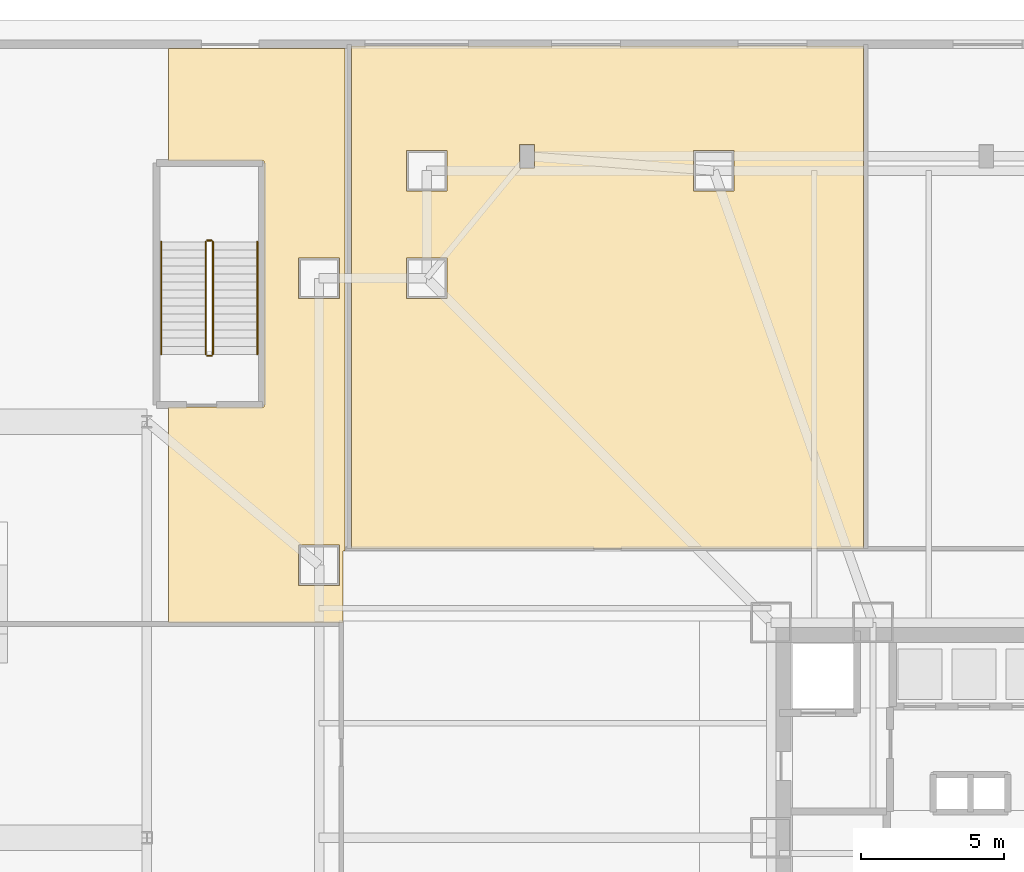
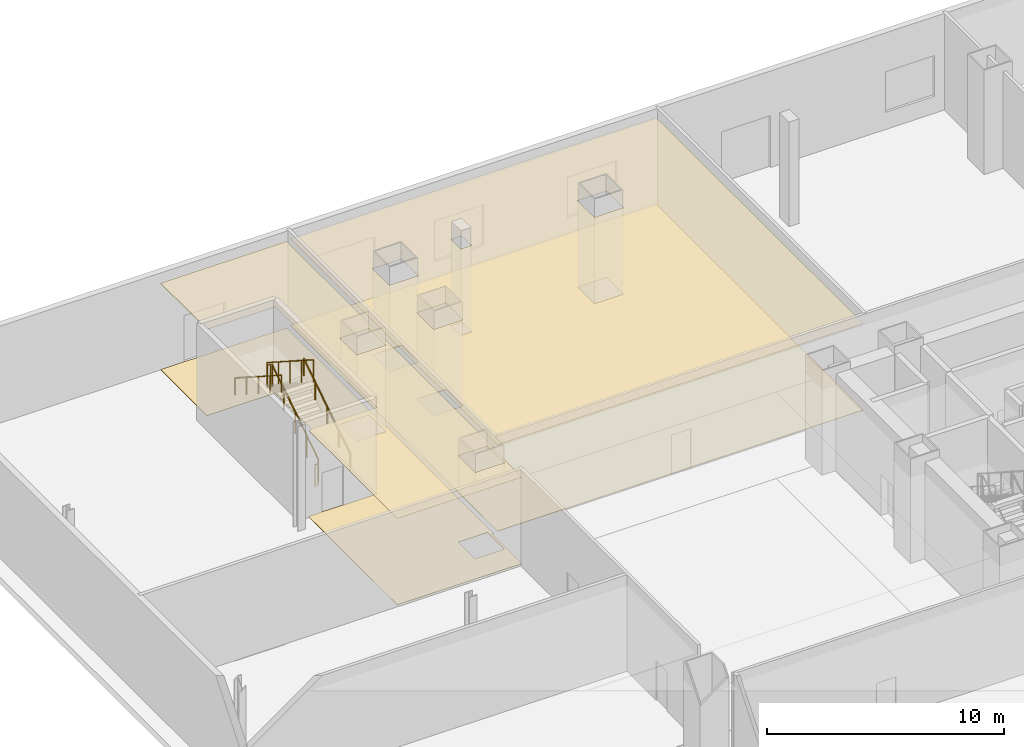
# One storey, part 19 of 24: 6 railings, 4 coverings.
"""IFC4 building model written with IfcOpenShell, lengths in metres."""

from ifc_helpers import new_model, si_unit, direction, frame, origin, origin_2d, place, context, subcontext, project, spatial, polyline, circle, outline, extrude, material, layer, layer_set, type_object, element, save


model = new_model("IFC4")

# Units and contexts
model_context = context("Model", 3, precision=1e-05, world=origin(), true_north=direction((0.0, 1.0)))
body_context = subcontext(model_context, "Body", "Model", "MODEL_VIEW")
ifc_project = project(units=[si_unit("LENGTHUNIT", "METRE"), si_unit("AREAUNIT", "SQUARE_METRE"), si_unit("VOLUMEUNIT", "CUBIC_METRE"), si_unit("PLANEANGLEUNIT", "RADIAN"), si_unit("MASSUNIT", "GRAM", prefix="KILO")], contexts=[model_context])

# Site, building, storey
site_placement = place(None, origin())
site = spatial("IfcSite", under=ifc_project, at=site_placement, CompositionType="ELEMENT")
building_placement = place(site_placement, origin())
building = spatial("IfcBuilding", under=site, at=building_placement, Name="Trevonay Congress Spire", CompositionType="ELEMENT")
storey_placement = place(building_placement, origin())
storey = spatial("IfcBuildingStorey", under=building, at=storey_placement, Name="L00", CompositionType="ELEMENT", Elevation=0.0)

# Coverings
ifc_material_1 = material(Name="Acoustic Mineral Fibre Board", Category="gypsum")
ifc_layer_1 = layer(ifc_material_1, 0.02490234375, Name="Acoustic Mineral Fibre Board")
ifc_layer_set_1 = layer_set([ifc_layer_1], Name="Acoustic Mineral Fibre Board")
covering_type_1 = type_object("IfcCoveringType", Name="COV-CEIL-ACOUSTIC", PredefinedType="CEILING", material=ifc_layer_set_1)
covering_1_placement = place(storey_placement, frame((0.0, 0.0, 4.449951171875)))
element("IfcCovering", 1, at=covering_1_placement, inside=storey, type_object=covering_type_1, Name="L00 VIP Diplomatic Drop-Off Foyer acoustic suspended ceiling", PredefinedType="CEILING", context=body_context, shape_type="SweptSolid", body=[
    extrude(outline(polyline([(-22.1201171875, 27.60009765625), (-4.280029296875, 27.60009765625), (-4.280029296875, 10.080078125), (-22.1201171875, 10.080078125), (-22.1201171875, 27.60009765625)]), holes=[polyline([(-20.2099609375, 20.2099609375), (-20.2099609375, 18.7900390625), (-18.7900390625, 18.7900390625), (-18.7900390625, 20.2099609375), (-20.2099609375, 20.2099609375)]), polyline([(-20.2099609375, 23.9599609375), (-20.2099609375, 22.5400390625), (-18.7900390625, 22.5400390625), (-18.7900390625, 23.9599609375), (-20.2099609375, 23.9599609375)]), polyline([(-10.2099609375, 23.9599609375), (-10.2099609375, 22.5400390625), (-8.7900390625, 22.5400390625), (-8.7900390625, 23.9599609375), (-10.2099609375, 23.9599609375)]), polyline([(-16.260009765625, 24.159912109375), (-16.260009765625, 23.340087890625), (-15.739990234375, 23.340087890625), (-15.739990234375, 24.159912109375), (-16.260009765625, 24.159912109375)])]), origin(), (0.0, 0.0, 1.0), 0.025146484375),
])
covering_2_placement = place(storey_placement, frame((0.0, 0.0, 4.449951171875)))
element("IfcCovering", 2, at=covering_2_placement, inside=storey, type_object=covering_type_1, Name="L00 Protected Exit Passage NW acoustic suspended ceiling", PredefinedType="CEILING", context=body_context, shape_type="SweptSolid", body=[
    extrude(outline(polyline([(-28.5, 23.580078125), (-28.5, 27.5), (-22.35009765625, 27.5), (-22.35009765625, 10.0), (-22.419921875, 10.0), (-22.419921875, 7.550048828125), (-22.419921875, 7.5), (-28.5, 7.5), (-28.5, 15.02001953125), (-25.169921875, 15.02001953125), (-25.169921875, 23.580078125), (-28.5, 23.580078125)]), holes=[polyline([(-22.5400390625, 8.7900390625), (-22.5400390625, 10.2099609375), (-23.9599609375, 10.2099609375), (-23.9599609375, 8.7900390625), (-22.5400390625, 8.7900390625)]), polyline([(-22.5400390625, 18.7900390625), (-22.5400390625, 20.2099609375), (-23.9599609375, 20.2099609375), (-23.9599609375, 18.7900390625), (-22.5400390625, 18.7900390625)])]), origin(), (0.0, 0.0, 1.0), 0.025146484375),
])
ifc_material_2 = material(Name="Polished Granite Floor Tile", Category="masonry")
ifc_layer_2 = layer(ifc_material_2, 0.02001953125, Name="Polished Granite Floor Tile")
ifc_layer_set_2 = layer_set([ifc_layer_2], Name="Polished Granite Floor Tile")
covering_type_2 = type_object("IfcCoveringType", Name="COV-FLOOR-STONE", PredefinedType="FLOORING", material=ifc_layer_set_2)
covering_3_placement = place(storey_placement, origin())
element("IfcCovering", 3, at=covering_3_placement, inside=storey, type_object=covering_type_2, Name="L00 VIP Diplomatic Drop-Off Foyer floor finish", PredefinedType="FLOORING", context=body_context, shape_type="SweptSolid", body=[
    extrude(outline(polyline([(-22.1201171875, 27.60009765625), (-4.280029296875, 27.60009765625), (-4.280029296875, 10.080078125), (-22.1201171875, 10.080078125), (-22.1201171875, 27.60009765625)]), holes=[polyline([(-20.2099609375, 20.2099609375), (-20.2099609375, 18.7900390625), (-18.7900390625, 18.7900390625), (-18.7900390625, 20.2099609375), (-20.2099609375, 20.2099609375)]), polyline([(-20.2099609375, 23.9599609375), (-20.2099609375, 22.5400390625), (-18.7900390625, 22.5400390625), (-18.7900390625, 23.9599609375), (-20.2099609375, 23.9599609375)]), polyline([(-10.2099609375, 23.9599609375), (-10.2099609375, 22.5400390625), (-8.7900390625, 22.5400390625), (-8.7900390625, 23.9599609375), (-10.2099609375, 23.9599609375)]), polyline([(-16.260009765625, 24.159912109375), (-16.260009765625, 23.340087890625), (-15.739990234375, 23.340087890625), (-15.739990234375, 24.159912109375), (-16.260009765625, 24.159912109375)])]), origin(), (0.0, 0.0, 1.0), 0.02001953125),
])
covering_4_placement = place(storey_placement, origin())
element("IfcCovering", 4, at=covering_4_placement, inside=storey, type_object=covering_type_2, Name="L00 Protected Exit Passage NW floor finish", PredefinedType="FLOORING", context=body_context, shape_type="SweptSolid", body=[
    extrude(outline(polyline([(-28.5, 23.580078125), (-28.5, 27.5), (-22.35009765625, 27.5), (-22.35009765625, 10.0), (-22.419921875, 10.0), (-22.419921875, 7.550048828125), (-22.419921875, 7.5), (-28.5, 7.5), (-28.5, 15.02001953125), (-25.169921875, 15.02001953125), (-25.169921875, 23.580078125), (-28.5, 23.580078125)]), holes=[polyline([(-22.5400390625, 8.7900390625), (-22.5400390625, 10.2099609375), (-23.9599609375, 10.2099609375), (-23.9599609375, 8.7900390625), (-22.5400390625, 8.7900390625)]), polyline([(-22.5400390625, 18.7900390625), (-22.5400390625, 20.2099609375), (-23.9599609375, 20.2099609375), (-23.9599609375, 18.7900390625), (-22.5400390625, 18.7900390625)])]), origin(), (0.0, 0.0, 1.0), 0.02001953125),
])

# Railings
ifc_material_3 = material(Name="Pale Anodised Aluminium EN AW-6063-T6", Category="aluminium")
railing_type_1 = type_object("IfcRailingType", Name="RAL-STAIR-GUARD-110", PredefinedType="GUARDRAIL", material=ifc_material_3)
railing_1_placement = place(storey_placement, frame((-26.949951171875, 16.85009765625, 0.179931640625)))
element("IfcRailing", 5, at=railing_1_placement, inside=storey, type_object=railing_type_1, Name="L00 ST-5 stair guard 1", PredefinedType="GUARDRAIL", context=body_context, shape_type="SweptSolid", body=[
    extrude(circle(Radius=0.02392578125, at=origin_2d()), frame((0.0, 0.0, 1.1259765625), z_axis=(0.0, 0.841171666519, 0.540768182723), x_axis=(-1.0, 0.0, 0.0)), (0.0, 0.0, 1.0), 4.66015625),
    extrude(circle(Radius=0.02099609375, at=origin_2d()), origin(), (0.0, 0.0, 1.0), 1.101806640625),
    extrude(circle(Radius=0.02099609375, at=origin_2d()), frame((0.0, 0.97998046875, 0.6298828125)), (0.0, 0.0, 1.0), 1.101806640625),
    extrude(circle(Radius=0.02099609375, at=origin_2d()), frame((0.0, 1.9599609375, 1.260009765625)), (0.0, 0.0, 1.0), 1.101806640625),
    extrude(circle(Radius=0.02099609375, at=origin_2d()), frame((0.0, 2.93994140625, 1.89013671875)), (0.0, 0.0, 1.0), 1.101806640625),
    extrude(circle(Radius=0.02099609375, at=origin_2d()), frame((0.0, 3.919921875, 2.52001953125)), (0.0, 0.0, 1.0), 1.101806640625),
])
railing_2_placement = place(storey_placement, frame((-27.0, 20.820068359375, 2.699951171875)))
element("IfcRailing", 6, at=railing_2_placement, inside=storey, type_object=railing_type_1, Name="L00 ST-5 stair guard 2", PredefinedType="GUARDRAIL", context=body_context, shape_type="SweptSolid", body=[
    extrude(circle(Radius=0.02392578125, at=origin_2d()), frame((0.0, 0.0, 1.1259765625), z_axis=(-1.0, 0.0, 0.0), x_axis=(0.0, -1.0, 0.0)), (0.0, 0.0, 1.0), 0.14990234375),
    extrude(circle(Radius=0.02099609375, at=origin_2d()), origin(), (0.0, 0.0, 1.0), 1.101806640625),
    extrude(circle(Radius=0.02099609375, at=origin_2d()), frame((-0.14990234375, 0.0, 0.0)), (0.0, 0.0, 1.0), 1.101806640625),
])
railing_3_placement = place(storey_placement, frame((-27.199951171875, 20.77001953125, 2.8798828125)))
element("IfcRailing", 7, at=railing_3_placement, inside=storey, type_object=railing_type_1, Name="L00 ST-5 stair guard 3", PredefinedType="GUARDRAIL", context=body_context, shape_type="SweptSolid", body=[
    extrude(circle(Radius=0.02392578125, at=origin_2d()), frame((0.0, 0.0, 1.1259765625), z_axis=(0.0, -0.841171666519, 0.540768182723), x_axis=(1.0, 0.0, 0.0)), (0.0, 0.0, 1.0), 4.66015625),
    extrude(circle(Radius=0.02099609375, at=origin_2d()), origin(), (0.0, 0.0, 1.0), 1.101806640625),
    extrude(circle(Radius=0.02099609375, at=origin_2d()), frame((0.0, -0.97998046875, 0.6298828125)), (0.0, 0.0, 1.0), 1.101806640625),
    extrude(circle(Radius=0.02099609375, at=origin_2d()), frame((0.0, -1.9599609375, 1.260009765625)), (0.0, 0.0, 1.0), 1.101806640625),
    extrude(circle(Radius=0.02099609375, at=origin_2d()), frame((0.0, -2.93994140625, 1.89013671875)), (0.0, 0.0, 1.0), 1.101806640625),
    extrude(circle(Radius=0.02099609375, at=origin_2d()), frame((0.0, -3.919921875, 2.52001953125)), (0.0, 0.0, 1.0), 1.101806640625),
])
railing_4_placement = place(storey_placement, frame((-27.0, 16.800048828125, 0.0)))
element("IfcRailing", 8, at=railing_4_placement, inside=storey, type_object=railing_type_1, Name="L00 ST-5 stair guard 4", PredefinedType="GUARDRAIL", context=body_context, shape_type="SweptSolid", body=[
    extrude(circle(Radius=0.02392578125, at=origin_2d()), frame((0.0, 0.0, 1.1259765625), z_axis=(-1.0, 0.0, 0.0), x_axis=(0.0, -1.0, 0.0)), (0.0, 0.0, 1.0), 0.14990234375),
    extrude(circle(Radius=0.02099609375, at=origin_2d()), origin(), (0.0, 0.0, 1.0), 1.101806640625),
    extrude(circle(Radius=0.02099609375, at=origin_2d()), frame((-0.14990234375, 0.0, 0.0)), (0.0, 0.0, 1.0), 1.101806640625),
])
railing_type_2 = type_object("IfcRailingType", Name="RAL-STAIR-HANDRAIL", PredefinedType="HANDRAIL", material=ifc_material_3)
railing_5_placement = place(storey_placement, frame((-25.39990234375, 16.85009765625, 0.179931640625)))
element("IfcRailing", 9, at=railing_5_placement, inside=storey, type_object=railing_type_2, Name="L00 ST-5 stair handrail 1", PredefinedType="HANDRAIL", context=body_context, shape_type="SweptSolid", body=[
    extrude(circle(Radius=0.02392578125, at=origin_2d()), frame((0.0, 0.0, 0.8759765625), z_axis=(0.0, 0.841171666519, 0.540768182723), x_axis=(-1.0, 0.0, 0.0)), (0.0, 0.0, 1.0), 4.66015625),
    extrude(circle(Radius=0.02099609375, at=origin_2d()), origin(), (0.0, 0.0, 1.0), 0.851806640625),
    extrude(circle(Radius=0.02099609375, at=origin_2d()), frame((0.0, 0.97998046875, 0.6298828125)), (0.0, 0.0, 1.0), 0.851806640625),
    extrude(circle(Radius=0.02099609375, at=origin_2d()), frame((0.0, 1.9599609375, 1.260009765625)), (0.0, 0.0, 1.0), 0.851806640625),
    extrude(circle(Radius=0.02099609375, at=origin_2d()), frame((0.0, 2.93994140625, 1.89013671875)), (0.0, 0.0, 1.0), 0.851806640625),
    extrude(circle(Radius=0.02099609375, at=origin_2d()), frame((0.0, 3.919921875, 2.52001953125)), (0.0, 0.0, 1.0), 0.851806640625),
])
railing_6_placement = place(storey_placement, frame((-28.75, 20.77001953125, 2.8798828125)))
element("IfcRailing", 10, at=railing_6_placement, inside=storey, type_object=railing_type_2, Name="L00 ST-5 stair handrail 2", PredefinedType="HANDRAIL", context=body_context, shape_type="SweptSolid", body=[
    extrude(circle(Radius=0.02392578125, at=origin_2d()), frame((0.0, 0.0, 0.8759765625), z_axis=(0.0, -0.841171666519, 0.540768182723), x_axis=(1.0, 0.0, 0.0)), (0.0, 0.0, 1.0), 4.66015625),
    extrude(circle(Radius=0.02099609375, at=origin_2d()), origin(), (0.0, 0.0, 1.0), 0.851806640625),
    extrude(circle(Radius=0.02099609375, at=origin_2d()), frame((0.0, -0.97998046875, 0.6298828125)), (0.0, 0.0, 1.0), 0.851806640625),
    extrude(circle(Radius=0.02099609375, at=origin_2d()), frame((0.0, -1.9599609375, 1.260009765625)), (0.0, 0.0, 1.0), 0.851806640625),
    extrude(circle(Radius=0.02099609375, at=origin_2d()), frame((0.0, -2.93994140625, 1.89013671875)), (0.0, 0.0, 1.0), 0.851806640625),
    extrude(circle(Radius=0.02099609375, at=origin_2d()), frame((0.0, -3.919921875, 2.52001953125)), (0.0, 0.0, 1.0), 0.851806640625),
])

save(model, "model.ifc")
